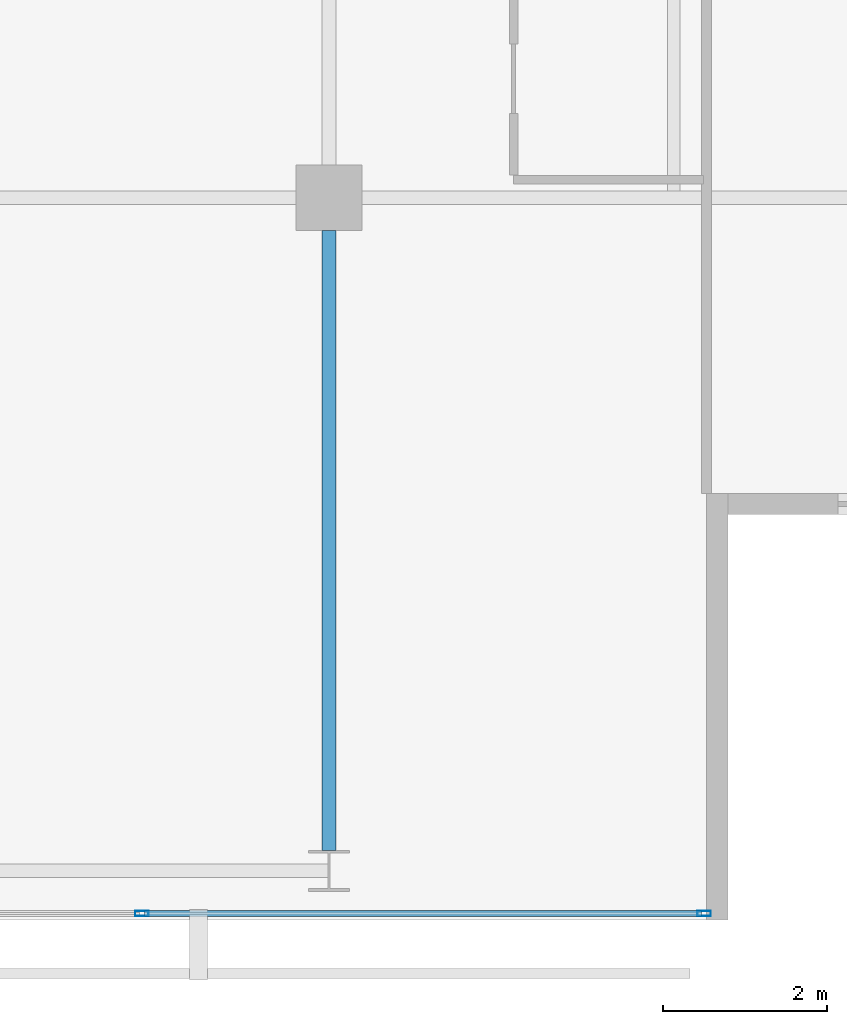
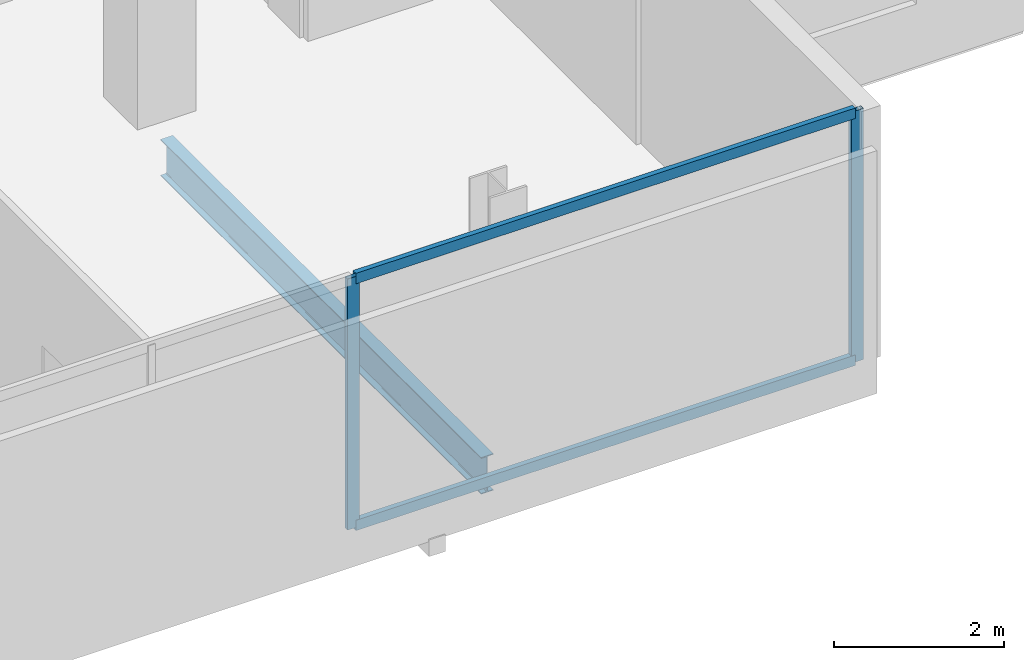
# One storey, part 10 of 25: 4 members, 1 beam, 1 element without a shape of its own.
"""IFC4 building model written with IfcOpenShell, lengths in metres."""

from ifc_helpers import new_model, si_unit, direction, frame, origin, origin_2d, place, context, subcontext, project, spatial, hollow_rectangle, i_section, extrude, material, layer, layer_set, material_profile, profile_set, type_object, element, aggregate, save


model = new_model("IFC4")

# Units and contexts
model_context = context("Model", 3, precision=1e-05, world=origin(), true_north=direction((0.0, 1.0)))
body_context = subcontext(model_context, "Body", "Model", "MODEL_VIEW")
ifc_project = project(units=[si_unit("LENGTHUNIT", "METRE"), si_unit("AREAUNIT", "SQUARE_METRE"), si_unit("VOLUMEUNIT", "CUBIC_METRE"), si_unit("PLANEANGLEUNIT", "RADIAN"), si_unit("MASSUNIT", "GRAM", prefix="KILO")], contexts=[model_context])

# Site, building, storey
site_placement = place(None, origin())
site = spatial("IfcSite", under=ifc_project, at=site_placement, CompositionType="ELEMENT")
building_placement = place(site_placement, origin())
building = spatial("IfcBuilding", under=site, at=building_placement, Name="Maruvema Waterfront Hotel and Observation Tower", CompositionType="ELEMENT")
storey_placement = place(building_placement, frame((0.0, 0.0, 281.75)))
storey = spatial("IfcBuildingStorey", under=building, at=storey_placement, Name="L69", CompositionType="ELEMENT", Elevation=281.75)

# Curtain wall, members
ifc_material_1 = material(Name="Anodised bronze aluminium and solar-control low-E IGU", Category="aluminium")
ifc_layer = layer(ifc_material_1, 0.159912109375, Name="Zone 3 Champagne Inner Thermal Curtain Wall System CW-04")
ifc_layer_set = layer_set([ifc_layer], Name="Anodised bronze aluminium and solar-control low-E IGU")
curtain_wall_type = type_object("IfcCurtainWallType", Name="Zone 3 Champagne Inner Thermal Curtain Wall System CW-04", PredefinedType="USERDEFINED", material=ifc_layer_set)
curtain_wall_placement = place(storey_placement, origin())
curtain_wall = element("IfcCurtainWall", 1, at=curtain_wall_placement, inside=storey, type_object=curtain_wall_type, Name="L69 Curtain Wall CW-L69-S", ObjectType="UNITISED CURTAIN WALL", PredefinedType="USERDEFINED")
ifc_material_2 = material(Name="Anodised architectural bronze aluminium", Category="aluminium")
ifc_material_profile_1 = material_profile(ifc_material_2, hollow_rectangle(XDim=0.070068359375, YDim=0.14990234375, WallThickness=0.00390625, at=origin_2d()), Name="ALU-T70x150")
ifc_profile_set_1 = profile_set([ifc_material_profile_1], Name="Anodised architectural bronze aluminium")
member_type_1 = type_object("IfcMemberType", Name="Curtain Wall Horizontal Transom ALU-T70x150", PredefinedType="USERDEFINED", material=ifc_profile_set_1)
member_1_placement = place(storey_placement, frame((48.14990234375, 9.280029296875, 0.030029296875), z_axis=(1.0, 0.0, 0.0), x_axis=(0.0, 1.0, 0.0)))
member_1 = element("IfcMember", 2, at=member_1_placement, type_object=member_type_1, Name="CW-04 transom 5.1", ObjectType="TRANSOM", PredefinedType="USERDEFINED", context=body_context, shape_type="SweptSolid", body=[
    extrude(hollow_rectangle(XDim=0.070068359375, YDim=0.14990234375, WallThickness=0.00390625, at=origin_2d()), origin(), (0.0, 0.0, 1.0), 6.7900390625),
])
member_2_placement = place(storey_placement, frame((48.14990234375, 9.280029296875, 3.580078125), z_axis=(1.0, 0.0, 0.0), x_axis=(0.0, 1.0, 0.0)))
member_2 = element("IfcMember", 3, at=member_2_placement, type_object=member_type_1, Name="CW-04 transom 5.2", ObjectType="TRANSOM", PredefinedType="USERDEFINED", context=body_context, shape_type="SweptSolid", body=[
    extrude(hollow_rectangle(XDim=0.070068359375, YDim=0.14990234375, WallThickness=0.00390625, at=origin_2d()), origin(), (0.0, 0.0, 1.0), 6.7900390625),
])
ifc_material_3 = material(Name="Anodised architectural bronze aluminium", Category="aluminium")
ifc_material_profile_2 = material_profile(ifc_material_3, hollow_rectangle(XDim=0.06494140625, YDim=0.1650390625, WallThickness=0.00390625, at=origin_2d()), Name="ALU-M65x165")
ifc_profile_set_2 = profile_set([ifc_material_profile_2], Name="Anodised architectural bronze aluminium")
member_type_2 = type_object("IfcMemberType", Name="Curtain Wall Primary Mullion ALU-M65x165", PredefinedType="MULLION", material=ifc_profile_set_2)
member_3_placement = place(storey_placement, frame((48.1201171875, 9.280029296875, 0.0), z_axis=(0.0, 0.0, 1.0), x_axis=(0.0, 1.0, 0.0)))
member_3 = element("IfcMember", 4, at=member_3_placement, type_object=member_type_2, Name="CW-04 mullion 5", PredefinedType="MULLION", context=body_context, shape_type="SweptSolid", body=[
    extrude(hollow_rectangle(XDim=0.06494140625, YDim=0.1650390625, WallThickness=0.00390625, at=origin_2d()), origin(), (0.0, 0.0, 1.0), 3.610107421875),
])
member_4_placement = place(storey_placement, frame((54.969970703125, 9.280029296875, 0.0), z_axis=(0.0, 0.0, 1.0), x_axis=(0.0, 1.0, 0.0)))
member_4 = element("IfcMember", 5, at=member_4_placement, type_object=member_type_2, Name="CW-04 mullion 6", PredefinedType="MULLION", context=body_context, shape_type="SweptSolid", body=[
    extrude(hollow_rectangle(XDim=0.06494140625, YDim=0.1650390625, WallThickness=0.00390625, at=origin_2d()), origin(), (0.0, 0.0, 1.0), 3.610107421875),
])
aggregate(curtain_wall, [member_3, member_4, member_1, member_2])

# Beam
ifc_material_4 = material(Name="Steel ASTM A572 Grade 50", Category="steel")
ifc_material_profile_3 = material_profile(ifc_material_4, i_section(OverallWidth=0.166015625, OverallDepth=0.529052734375, WebThickness=0.009765625, FlangeThickness=0.013671875, FilletRadius=0.014892578125, at=origin_2d()), Name="W530x74.0")
ifc_profile_set_3 = profile_set([ifc_material_profile_3], Name="Steel ASTM A572 Grade 50")
beam_type = type_object("IfcBeamType", Name="Primary Floor Girder W530x74.0", PredefinedType="BEAM", material=ifc_profile_set_3)
beam_placement = place(storey_placement, frame((50.39990234375, 10.050048828125, -0.50439453125), z_axis=(0.0, 1.0, 0.0), x_axis=(-1.0, 0.0, 0.0)))
element("IfcBeam", 6, at=beam_placement, inside=storey, type_object=beam_type, Name="L69 Floor Girder NS-12", PredefinedType="BEAM", context=body_context, shape_type="SweptSolid", body=[
    extrude(i_section(OverallWidth=0.166015625, OverallDepth=0.529052734375, WebThickness=0.009765625, FlangeThickness=0.013671875, FilletRadius=0.014892578125, at=origin_2d()), origin(), (0.0, 0.0, 1.0), 7.550048828125),
])

save(model, "model.ifc")
